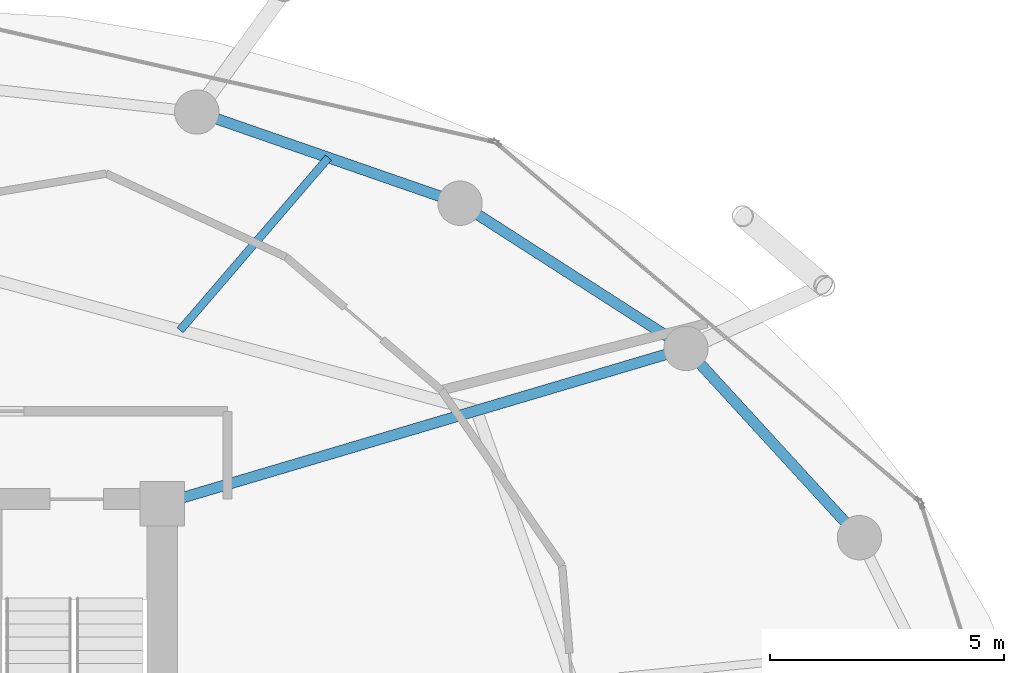
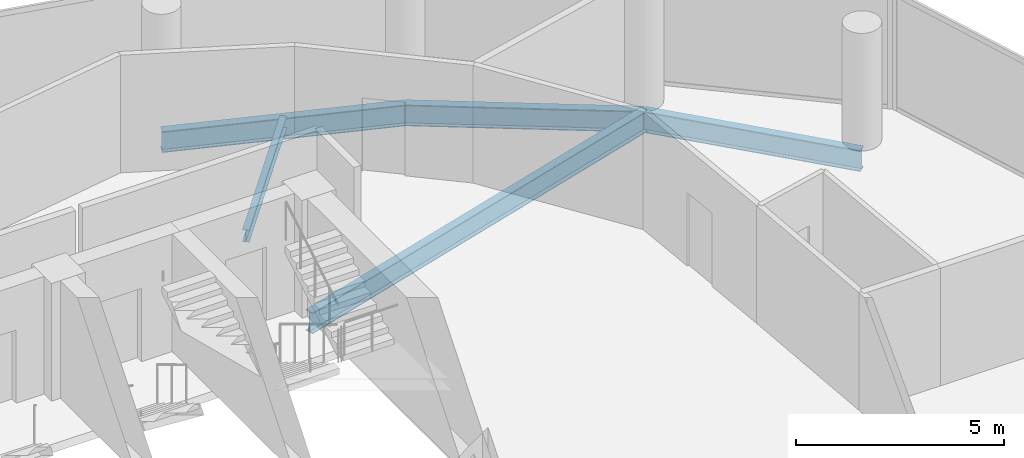
# One storey, part 18 of 26: 5 beams.
"""IFC4 building model written with IfcOpenShell, lengths in metres."""

from ifc_helpers import new_model, si_unit, direction, frame, origin, origin_2d, place, context, subcontext, project, spatial, i_section, extrude, material, material_profile, profile_set, type_object, element, save


model = new_model("IFC4")

# Units and contexts
model_context = context("Model", 3, precision=1e-05, world=origin(), true_north=direction((0.0, 1.0)))
body_context = subcontext(model_context, "Body", "Model", "MODEL_VIEW")
ifc_project = project(units=[si_unit("LENGTHUNIT", "METRE"), si_unit("AREAUNIT", "SQUARE_METRE"), si_unit("VOLUMEUNIT", "CUBIC_METRE"), si_unit("PLANEANGLEUNIT", "RADIAN"), si_unit("MASSUNIT", "GRAM", prefix="KILO")], contexts=[model_context])

# Site, building, storey
site_placement = place(None, origin())
site = spatial("IfcSite", under=ifc_project, at=site_placement, CompositionType="ELEMENT")
building_placement = place(site_placement, origin())
building = spatial("IfcBuilding", under=site, at=building_placement, Name="Nuhasar Tower", CompositionType="ELEMENT")
storey_placement = place(building_placement, frame((0.0, 0.0, 177.449951171875)))
storey = spatial("IfcBuildingStorey", under=building, at=storey_placement, Name="L43", CompositionType="ELEMENT", Elevation=177.449951171875)

# Beams
ifc_material = material(Name="Steel S355", Category="steel")
ifc_material_profile_1 = material_profile(ifc_material, i_section(OverallWidth=0.1708984375, OverallDepth=0.35205078125, WebThickness=0.0068359375, FlangeThickness=0.009765625, at=origin_2d()), Name="W14X30")
ifc_profile_set_1 = profile_set([ifc_material_profile_1], Name="Steel S355")
beam_type_1 = type_object("IfcBeamType", Name="BM-JST-W14X30", PredefinedType="JOIST", material=ifc_profile_set_1)
beam_1_placement = place(storey_placement, frame((44.68408203125, 41.011962890625, -0.426025390625), z_axis=(0.651690621509, 0.758484893612, 0.0), x_axis=(-0.758484893612, 0.651690621509, 0.0)))
element("IfcBeam", 1, at=beam_1_placement, inside=storey, type_object=beam_type_1, Name="L43 Secondary Floor Joist 05", PredefinedType="JOIST", context=body_context, shape_type="SweptSolid", body=[
    extrude(i_section(OverallWidth=0.1708984375, OverallDepth=0.35205078125, WebThickness=0.0068359375, FlangeThickness=0.009765625, at=origin_2d()), origin(), (0.0, 0.0, 1.0), 4.87158203125),
])
ifc_material_profile_2 = material_profile(ifc_material, i_section(OverallWidth=0.22900390625, OverallDepth=0.612060546875, WebThickness=0.011962890625, FlangeThickness=0.01953125, at=origin_2d()), Name="W24X84")
ifc_profile_set_2 = profile_set([ifc_material_profile_2], Name="Steel S355")
beam_type_2 = type_object("IfcBeamType", Name="BM-RAD-W24X84", PredefinedType="BEAM", material=ifc_profile_set_2)
beam_2_placement = place(storey_placement, frame((44.300048828125, 37.300048828125, -0.555908203125), z_axis=(0.958746492721, 0.284262489076, 0.0), x_axis=(-0.284262489076, 0.958746492721, 0.0)))
element("IfcBeam", 2, at=beam_2_placement, inside=storey, type_object=beam_type_2, Name="L43 Radial Floor Girder 05", PredefinedType="BEAM", context=body_context, shape_type="SweptSolid", body=[
    extrude(i_section(OverallWidth=0.22900390625, OverallDepth=0.612060546875, WebThickness=0.011962890625, FlangeThickness=0.01953125, at=origin_2d()), origin(), (0.0, 0.0, 1.0), 11.693359375),
])
ifc_material_profile_3 = material_profile(ifc_material, i_section(OverallWidth=0.22998046875, OverallDepth=0.616943359375, WebThickness=0.01318359375, FlangeThickness=0.022216796875, at=origin_2d()), Name="W24X94")
ifc_profile_set_3 = profile_set([ifc_material_profile_3], Name="Steel S355")
beam_type_3 = type_object("IfcBeamType", Name="BM-RING-W24X94", PredefinedType="SPANDREL", material=ifc_profile_set_3)
beam_3_placement = place(storey_placement, frame((59.221923828125, 36.574951171875, -0.558837890625), z_axis=(-0.675654174897, 0.737218716491, 0.0), x_axis=(-0.737218716491, -0.675654174897, 0.0)))
element("IfcBeam", 3, at=beam_3_placement, inside=storey, type_object=beam_type_3, Name="L43 Perimeter Ring Spandrel 03", PredefinedType="SPANDREL", context=body_context, shape_type="SweptSolid", body=[
    extrude(i_section(OverallWidth=0.22998046875, OverallDepth=0.616943359375, WebThickness=0.01318359375, FlangeThickness=0.022216796875, at=origin_2d()), origin(), (0.0, 0.0, 1.0), 5.492431640625),
])
beam_4_placement = place(storey_placement, frame((55.510986328125, 40.6240234375, -0.558837890625), z_axis=(-0.841327486207, 0.540525726448, 0.0), x_axis=(-0.540525726448, -0.841327486207, 0.0)))
element("IfcBeam", 4, at=beam_4_placement, inside=storey, type_object=beam_type_3, Name="L43 Perimeter Ring Spandrel 04", PredefinedType="SPANDREL", context=body_context, shape_type="SweptSolid", body=[
    extrude(i_section(OverallWidth=0.22998046875, OverallDepth=0.616943359375, WebThickness=0.01318359375, FlangeThickness=0.022216796875, at=origin_2d()), origin(), (0.0, 0.0, 1.0), 5.748046875),
])
beam_5_placement = place(storey_placement, frame((50.675048828125, 43.73095703125, -0.558837890625), z_axis=(-0.944801380051, 0.327643636066, 0.0), x_axis=(-0.327643636066, -0.944801380051, 0.0)))
element("IfcBeam", 5, at=beam_5_placement, inside=storey, type_object=beam_type_3, Name="L43 Perimeter Ring Spandrel 05", PredefinedType="SPANDREL", context=body_context, shape_type="SweptSolid", body=[
    extrude(i_section(OverallWidth=0.22998046875, OverallDepth=0.616943359375, WebThickness=0.01318359375, FlangeThickness=0.022216796875, at=origin_2d()), origin(), (0.0, 0.0, 1.0), 5.961181640625),
])

save(model, "model.ifc")
